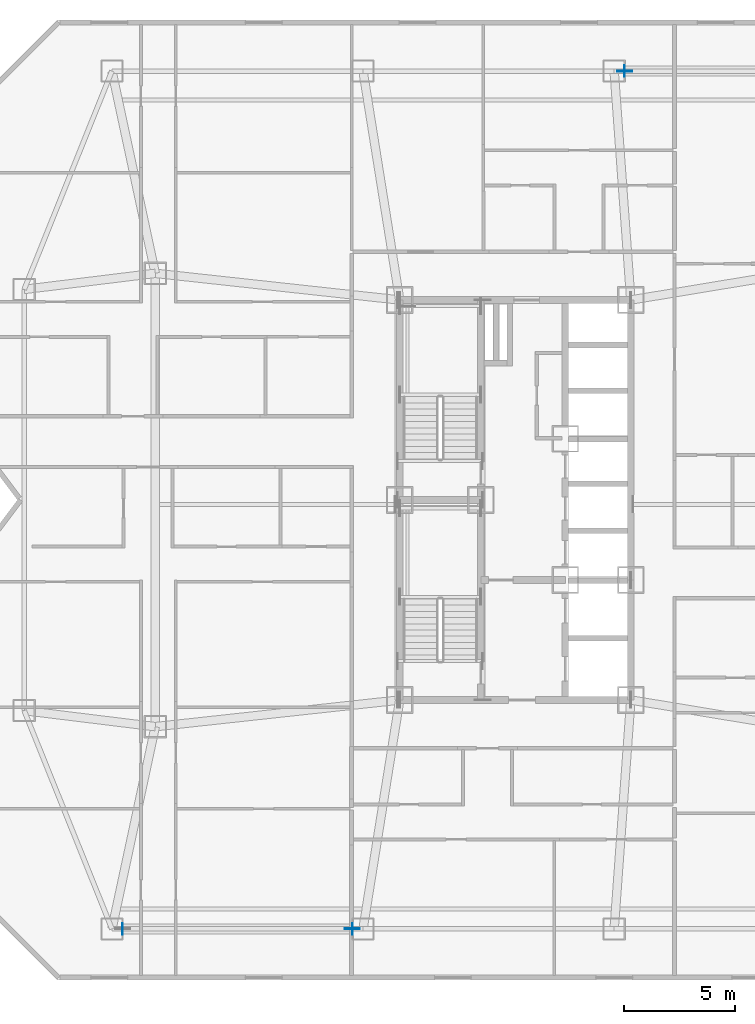
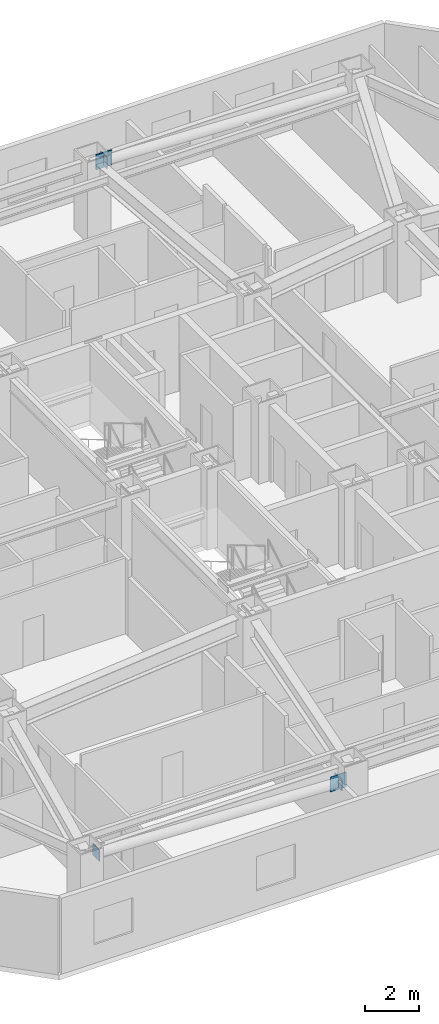
# One storey, part 5 of 14: 5 plates.
"""IFC4 building model written with IfcOpenShell, lengths in metres."""

from ifc_helpers import new_model, si_unit, direction, frame, origin, origin_2d, place, context, subcontext, project, spatial, rectangle, extrude, material, layer, layer_set, type_object, element, save


model = new_model("IFC4")

# Units and contexts
model_context = context("Model", 3, precision=1e-05, world=origin(), true_north=direction((0.0, 1.0)))
body_context = subcontext(model_context, "Body", "Model", "MODEL_VIEW")
ifc_project = project(units=[si_unit("LENGTHUNIT", "METRE"), si_unit("AREAUNIT", "SQUARE_METRE"), si_unit("VOLUMEUNIT", "CUBIC_METRE"), si_unit("PLANEANGLEUNIT", "RADIAN"), si_unit("MASSUNIT", "GRAM", prefix="KILO")], contexts=[model_context])

# Site, building, storey
site_placement = place(None, origin())
site = spatial("IfcSite", under=ifc_project, at=site_placement, CompositionType="ELEMENT")
building_placement = place(site_placement, origin())
building = spatial("IfcBuilding", under=site, at=building_placement, Name="Khamvora Tower", CompositionType="ELEMENT")
storey_placement = place(building_placement, frame((0.0, 0.0, 123.800048828125)))
storey = spatial("IfcBuildingStorey", under=building, at=storey_placement, Name="L31", CompositionType="ELEMENT", Elevation=123.800048828125)

# Plates
ifc_material_1 = material(Name="Steel S355", Category="steel")
ifc_layer_1 = layer(ifc_material_1, 0.02490234375)
ifc_layer_set_1 = layer_set([ifc_layer_1], Name="Steel S355")
plate_type_1 = type_object("IfcPlateType", Name="PL-CAP-25", PredefinedType="SHEET", material=ifc_layer_set_1)
for number, where, z_axis, x_axis, name in (
    (1, (26.882080078125, 8.699951171875, 2.4404296875), (0.0, 0.0, 1.0), (-1.0, 0.0, 0.0), "L31 hollow section steel end cap plate 0768"),
    (2, (16.51806640625, 8.699951171875, 2.884521484375), (0.0, 0.0, 1.0), (-1.0, 0.0, 0.0), "L31 hollow section steel end cap plate 0769"),
    (3, (39.117919921875, 47.300048828125, 2.884521484375), (0.0, 0.0, 1.0), (-1.0, 0.0, 0.0), "L31 hollow section steel end cap plate 0771"),
):
    element("IfcPlate", number, at=place(storey_placement, frame(where, z_axis=z_axis, x_axis=x_axis)), inside=storey, type_object=plate_type_1, Name=name, PredefinedType="SHEET", context=body_context, shape_type="SweptSolid", body=[
        extrude(rectangle(XDim=0.02490234375, YDim=0.51708984375, at=origin_2d()), origin(), (0.0, 0.0, 1.0), 0.51708984375),
    ])
ifc_material_2 = material(Name="Steel S460", Category="steel")
ifc_layer_2 = layer(ifc_material_2, 0.0400390625)
ifc_layer_set_2 = layer_set([ifc_layer_2], Name="Steel S460")
plate_type_2 = type_object("IfcPlateType", Name="PLT-GUS-40", PredefinedType="SHEET", material=ifc_layer_set_2)
for number, where, z_axis, x_axis, name in (
    (4, (26.8701171875, 8.699951171875, 2.35986328125), (0.0, 0.0, 1.0), (1.0, 0.0, 0.0), "L31 brace connection node gusset plate 0201"),
    (5, (39.1298828125, 47.300048828125, 2.8017578125), (0.0, 0.0, 1.0), (1.0, 0.0, 0.0), "L31 brace connection node gusset plate 0204"),
):
    element("IfcPlate", number, at=place(storey_placement, frame(where, z_axis=z_axis, x_axis=x_axis)), inside=storey, type_object=plate_type_2, Name=name, PredefinedType="SHEET", context=body_context, shape_type="SweptSolid", body=[
        extrude(rectangle(XDim=0.679931640625, YDim=0.0400390625, at=origin_2d()), origin(), (0.0, 0.0, 1.0), 0.679931640625),
    ])

save(model, "model.ifc")
